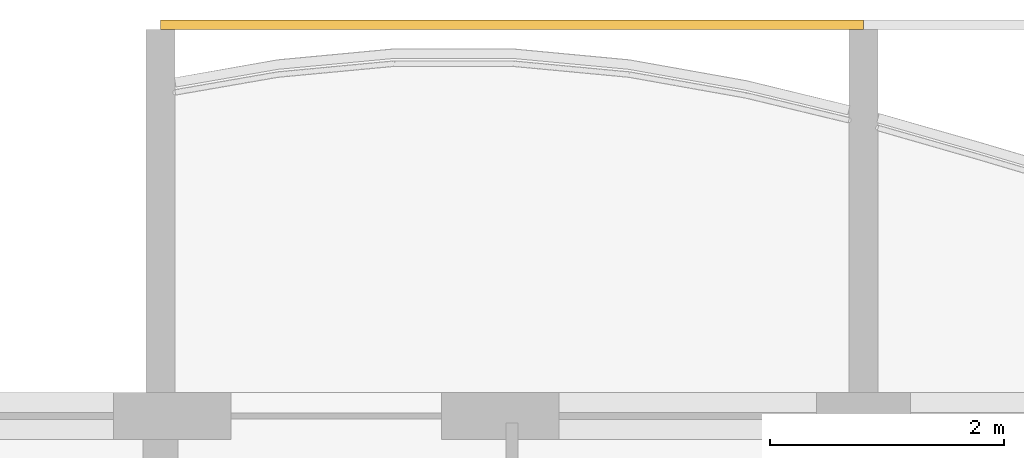
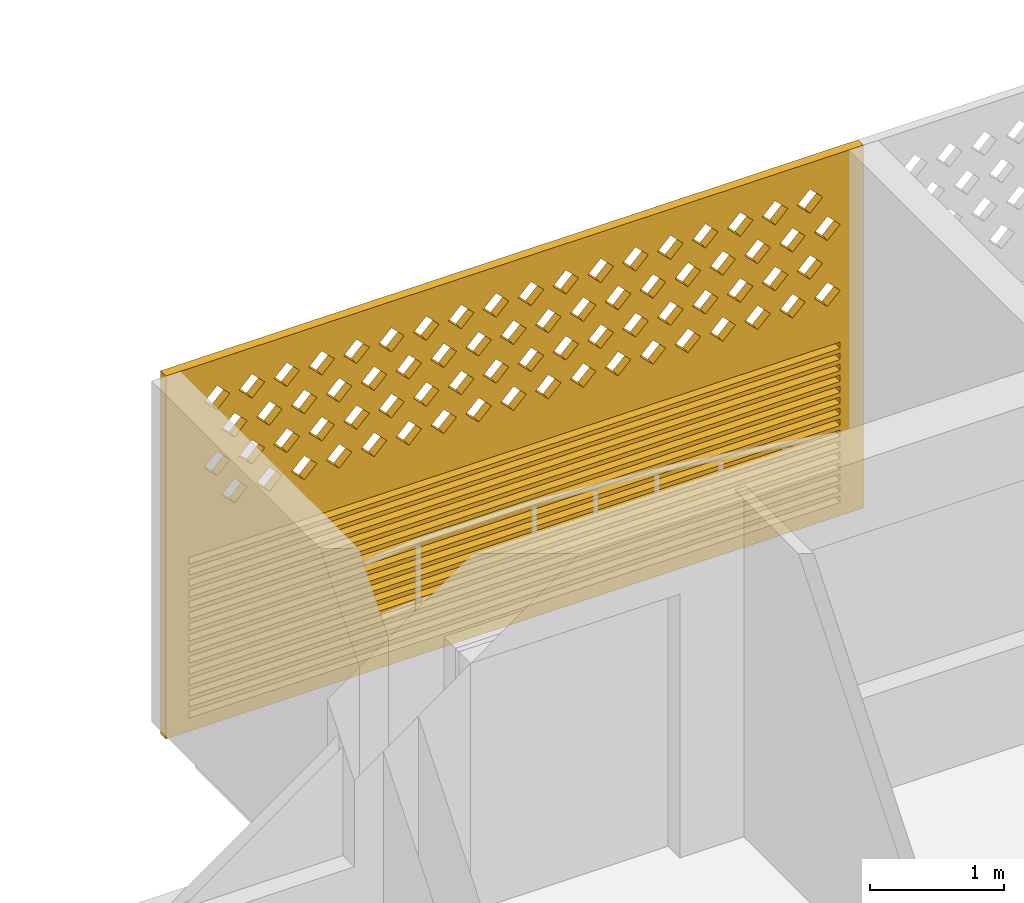
# One storey, part 21 of 33: 1 covering.
"""IFC4 building model written with IfcOpenShell, lengths in metres."""

import ifcopenshell
import ifcopenshell.guid

model = None  # the IFC model being written
_history = None  # IfcOwnerHistory: only IFC2X3 demands one
_inside = {}  # id of a spatial element -> (the spatial element, [elements in it])
_under = {}  # id of a project, library or spatial element -> (it, [spatial elements below it])
_declared = {}  # id of a project -> (the project, [libraries it declares])
_typed = {}  # id of a type object -> (the type object, [elements of that type])
_made_of = {}  # id of a material, layer set ... -> (it, [elements and type objects made of it])


def new_model(schema):
    """Start an empty IFC model of exactly this schema.

    Asked for "IFC4X3", IfcOpenShell would pick the latest addendum, in which some entities
    have other attributes; the version numbers below select the first issue.
    IFC2X3 requires an IfcOwnerHistory on every rooted entity: one is made here for all.
    """
    global model, _history
    if schema == "IFC4X3":
        model = ifcopenshell.file(schema_version=(4, 3, 0, 0))
    else:
        model = ifcopenshell.file(schema=schema)
    _inside.clear()
    _under.clear()
    _declared.clear()
    _typed.clear()
    _made_of.clear()
    _history = None
    if model.schema == "IFC2X3":
        org = make("IfcOrganization", Name="unknown")
        user = make(
            "IfcPersonAndOrganization",
            ThePerson=make("IfcPerson", FamilyName="unknown"),
            TheOrganization=org,
        )
        app = make(
            "IfcApplication",
            ApplicationDeveloper=org,
            Version="unknown",
            ApplicationFullName="unknown",
            ApplicationIdentifier="unknown",
        )
        _history = make(
            "IfcOwnerHistory",
            OwningUser=user,
            OwningApplication=app,
            ChangeAction="ADDED",
            CreationDate=0,
        )
    return model


def make(cls, **values):
    """One entity of the class cls with the attributes given. An attribute that is None is left unset."""
    return model.create_entity(
        cls, **{name: value for name, value in values.items() if value is not None}
    )


def rooted(cls, **values):
    """An entity with a GlobalId (a new one), such as an element, a storey or a relation."""
    return make(cls, GlobalId=ifcopenshell.guid.new(), OwnerHistory=_history, **values)


def si_unit(unit_type, name, prefix=None):
    """IfcSIUnit, for example si_unit("LENGTHUNIT", "METRE", prefix="MILLI")."""
    return make("IfcSIUnit", UnitType=unit_type, Prefix=prefix, Name=name)


def assignment(units):
    """IfcUnitAssignment: the units of a project."""
    return None if units is None else make("IfcUnitAssignment", Units=units)


def point(xyz):
    """IfcCartesianPoint."""
    return None if xyz is None else make("IfcCartesianPoint", Coordinates=xyz)


def direction(xyz):
    """IfcDirection."""
    return None if xyz is None else make("IfcDirection", DirectionRatios=xyz)


def frame(location, z_axis=None, x_axis=None):
    """IfcAxis2Placement3D, a coordinate frame: its origin and axes. An axis left out is left unset."""
    return make(
        "IfcAxis2Placement3D",
        Location=point(location),
        Axis=direction(z_axis),
        RefDirection=direction(x_axis),
    )


def origin():
    """The frame at (0, 0, 0) with its axes left unset."""
    return frame((0.0, 0.0, 0.0))


def place(relative_to, where):
    """IfcLocalPlacement: puts the frame where relative to a parent placement (None: the world)."""
    return make(
        "IfcLocalPlacement", PlacementRelTo=relative_to, RelativePlacement=where
    )


def context(
    kind, dimensions, precision=None, world=None, true_north=None, identifier=None
):
    """IfcGeometricRepresentationContext, for example the 3D "Model" context."""
    return make(
        "IfcGeometricRepresentationContext",
        ContextIdentifier=identifier,
        ContextType=kind,
        CoordinateSpaceDimension=dimensions,
        Precision=precision,
        WorldCoordinateSystem=world,
        TrueNorth=true_north,
    )


def subcontext(parent, identifier, kind, view, scale=None):
    """IfcGeometricRepresentationSubContext, for example "Body" below "Model"."""
    return make(
        "IfcGeometricRepresentationSubContext",
        ContextIdentifier=identifier,
        ContextType=kind,
        ParentContext=parent,
        TargetScale=scale,
        TargetView=view,
    )


def project(units=None, contexts=None):
    """IfcProject with its units and contexts."""
    return rooted(
        "IfcProject",
        Name="project",
        RepresentationContexts=contexts,
        UnitsInContext=assignment(units),
    )


def spatial(cls, under=None, at=None, **own):
    """A site, building, storey or space (cls), placed at a placement, below another one or the project."""
    s = rooted(cls, ObjectPlacement=at, **own)
    if under is not None:
        _under.setdefault(under.id(), (under, []))[1].append(s)
    return s


def polyline(points):
    """IfcPolyline through the points."""
    return make("IfcPolyline", Points=[point(p) for p in points])


def outline(outer, holes=None, kind="AREA"):
    """IfcArbitraryClosedProfileDef: a profile drawn as a closed curve; with holes, ...WithVoids."""
    if holes is None:
        return make("IfcArbitraryClosedProfileDef", ProfileType=kind, OuterCurve=outer)
    return make(
        "IfcArbitraryProfileDefWithVoids",
        ProfileType=kind,
        OuterCurve=outer,
        InnerCurves=holes,
    )


def extrude(swept, where, along, depth):
    """IfcExtrudedAreaSolid: the profile swept, set in the frame where, extruded along a direction by depth."""
    return make(
        "IfcExtrudedAreaSolid",
        SweptArea=swept,
        Position=where,
        ExtrudedDirection=direction(along),
        Depth=depth,
    )


def shape(context_of_items, identifier, shape_type, items):
    """IfcShapeRepresentation: the items that make up one representation, for example the "Body"."""
    return make(
        "IfcShapeRepresentation",
        ContextOfItems=context_of_items,
        RepresentationIdentifier=identifier,
        RepresentationType=shape_type,
        Items=items,
    )


def source(mapping_origin, context_of_items, identifier, shape_type, items):
    """IfcRepresentationMap: a shape defined once, which mapped items show again and again."""
    return make(
        "IfcRepresentationMap",
        MappingOrigin=mapping_origin,
        MappedRepresentation=shape(context_of_items, identifier, shape_type, items),
    )


def transform(
    local_origin,
    x_axis=None,
    y_axis=None,
    z_axis=None,
    scale=None,
    scale2=None,
    scale3=None,
    uniform=True,
):
    """IfcCartesianTransformationOperator3D, or its non-uniform kind. x_axis, y_axis, z_axis: its Axis1, 2, 3."""
    if uniform:
        return make(
            "IfcCartesianTransformationOperator3D",
            Axis1=direction(x_axis),
            Axis2=direction(y_axis),
            LocalOrigin=point(local_origin),
            Scale=scale,
            Axis3=direction(z_axis),
        )
    return make(
        "IfcCartesianTransformationOperator3DnonUniform",
        Axis1=direction(x_axis),
        Axis2=direction(y_axis),
        LocalOrigin=point(local_origin),
        Scale=scale,
        Axis3=direction(z_axis),
        Scale2=scale2,
        Scale3=scale3,
    )


def mapped(mapping_source, mapping_target):
    """IfcMappedItem: shows the shape of a source again, moved by a transform."""
    return make(
        "IfcMappedItem", MappingSource=mapping_source, MappingTarget=mapping_target
    )


def material(Name=None, Category=None):
    """IfcMaterial."""
    return make("IfcMaterial", Name=Name, Category=Category)


def material_profile(
    of_material, cross_section, Name=None, Category=None, Priority=None
):
    """IfcMaterialProfile: a cross section and its material."""
    return make(
        "IfcMaterialProfile",
        Name=Name,
        Material=of_material,
        Profile=cross_section,
        Priority=Priority,
        Category=Category,
    )


def profile_set(profiles, Name=None, composite=None):
    """IfcMaterialProfileSet."""
    return make(
        "IfcMaterialProfileSet",
        Name=Name,
        MaterialProfiles=profiles,
        CompositeProfile=composite,
    )


def made_of(thing, what):
    """Note that an element or type object is made of a material, layer set ...; save() writes the relation."""
    if what is not None:
        _made_of.setdefault(what.id(), (what, []))[1].append(thing)
    return thing


def type_object(cls, material=None, **own):
    """A type object (cls), such as IfcWallType, which elements share."""
    return made_of(rooted(cls, **own), material)


def element(
    cls,
    number,
    at=None,
    inside=None,
    cuts=None,
    type_object=None,
    material=None,
    context=None,
    identifier="Body",
    shape_type=None,
    held_by="IfcProductDefinitionShape",
    body=None,
    shapes=None,
    **own,
):
    """One element of the class cls, such as IfcWall. Its Tag is "e" and its number.

    at: its placement. inside: the storey or other place that contains it. cuts: it is an
    opening in that element (IfcRelVoidsElement). A single representation is given by context,
    identifier, shape_type and body (its items); several are given by shapes. held_by: the class
    of the entity that holds the representations. save() writes the other relations.
    """
    e = rooted(cls, Tag="e%d" % number, ObjectPlacement=at, **own)
    if body is not None:
        shapes = [shape(context, identifier, shape_type, body)]
    if shapes is not None:
        e.Representation = make(held_by, Representations=shapes)
    if inside is not None:
        _inside.setdefault(inside.id(), (inside, []))[1].append(e)
    if cuts is not None:
        rooted(
            "IfcRelVoidsElement", RelatingBuildingElement=cuts, RelatedOpeningElement=e
        )
    if type_object is not None:
        _typed.setdefault(type_object.id(), (type_object, []))[1].append(e)
    return made_of(e, material)


def aggregate(whole, parts):
    """IfcRelAggregates: a whole, such as a stair, and the parts it consists of."""
    return rooted("IfcRelAggregates", RelatingObject=whole, RelatedObjects=parts)


def save(model, path):
    """Write the relations noted so far, then the file.

    IfcRelAggregates (storeys below a building ...), IfcRelContainedInSpatialStructure (elements
    in a storey), IfcRelDefinesByType, IfcRelAssociatesMaterial and IfcRelDeclares: one each for
    every whole, place, type object, material and project.
    """
    for whole, parts in _under.values():
        aggregate(whole, parts)
    for where, things in _inside.values():
        rooted(
            "IfcRelContainedInSpatialStructure",
            RelatedElements=things,
            RelatingStructure=where,
        )
    for kind, things in _typed.values():
        rooted("IfcRelDefinesByType", RelatedObjects=things, RelatingType=kind)
    for what, things in _made_of.values():
        rooted("IfcRelAssociatesMaterial", RelatedObjects=things, RelatingMaterial=what)
    for by, libraries in _declared.values():
        rooted("IfcRelDeclares", RelatingContext=by, RelatedDefinitions=libraries)
    model.write(path)


model = new_model("IFC4")

# Units and contexts
model_context = context("Model", 3, precision=1e-05, world=origin(), true_north=direction((0.0, 1.0)))
body_context = subcontext(model_context, "Body", "Model", "MODEL_VIEW")
ifc_project = project(units=[si_unit("LENGTHUNIT", "METRE"), si_unit("AREAUNIT", "SQUARE_METRE"), si_unit("VOLUMEUNIT", "CUBIC_METRE"), si_unit("PLANEANGLEUNIT", "RADIAN"), si_unit("MASSUNIT", "GRAM", prefix="KILO")], contexts=[model_context])

# Site, building, storey
site_placement = place(None, origin())
site = spatial("IfcSite", under=ifc_project, at=site_placement, CompositionType="ELEMENT")
building_placement = place(site_placement, origin())
building = spatial("IfcBuilding", under=site, at=building_placement, Name="Poui Terraces", CompositionType="ELEMENT")
storey_placement = place(building_placement, frame((0.0, 0.0, 132.300048828125)))
storey = spatial("IfcBuildingStorey", under=building, at=storey_placement, Name="L36", CompositionType="ELEMENT", Elevation=132.300048828125)

# Covering
ifc_material = material(Name="Terracotta screen", Category="masonry")
ifc_material_profile = material_profile(ifc_material, outline(polyline([(-3.0, -1.64990234375), (3.0, -1.64990234375), (3.0, 1.64990234375), (-3.0, 1.64990234375), (-3.0, -1.64990234375)]), holes=[polyline([(-2.800048828125, 0.39990234375), (-2.68994140625, 0.2900390625), (-2.580078125, 0.39990234375), (-2.68994140625, 0.510009765625), (-2.800048828125, 0.39990234375)]), polyline([(-2.5, 0.39990234375), (-2.389892578125, 0.2900390625), (-2.280029296875, 0.39990234375), (-2.389892578125, 0.510009765625), (-2.5, 0.39990234375)]), polyline([(-2.199951171875, 0.39990234375), (-2.090087890625, 0.2900390625), (-1.97998046875, 0.39990234375), (-2.090087890625, 0.510009765625), (-2.199951171875, 0.39990234375)]), polyline([(-1.89990234375, 0.39990234375), (-1.7900390625, 0.2900390625), (-1.679931640625, 0.39990234375), (-1.7900390625, 0.510009765625), (-1.89990234375, 0.39990234375)]), polyline([(-1.60009765625, 0.39990234375), (-1.489990234375, 0.2900390625), (-1.3798828125, 0.39990234375), (-1.489990234375, 0.510009765625), (-1.60009765625, 0.39990234375)]), polyline([(-1.300048828125, 0.39990234375), (-1.18994140625, 0.2900390625), (-1.080078125, 0.39990234375), (-1.18994140625, 0.510009765625), (-1.300048828125, 0.39990234375)]), polyline([(-1.0, 0.39990234375), (-0.889892578125, 0.2900390625), (-0.780029296875, 0.39990234375), (-0.889892578125, 0.510009765625), (-1.0, 0.39990234375)]), polyline([(-0.699951171875, 0.39990234375), (-0.590087890625, 0.2900390625), (-0.47998046875, 0.39990234375), (-0.590087890625, 0.510009765625), (-0.699951171875, 0.39990234375)]), polyline([(-0.39990234375, 0.39990234375), (-0.2900390625, 0.2900390625), (-0.179931640625, 0.39990234375), (-0.2900390625, 0.510009765625), (-0.39990234375, 0.39990234375)]), polyline([(-0.10009765625, 0.39990234375), (0.010009765625, 0.2900390625), (0.1201171875, 0.39990234375), (0.010009765625, 0.510009765625), (-0.10009765625, 0.39990234375)]), polyline([(0.199951171875, 0.39990234375), (0.31005859375, 0.2900390625), (0.419921875, 0.39990234375), (0.31005859375, 0.510009765625), (0.199951171875, 0.39990234375)]), polyline([(0.5, 0.39990234375), (0.610107421875, 0.2900390625), (0.719970703125, 0.39990234375), (0.610107421875, 0.510009765625), (0.5, 0.39990234375)]), polyline([(0.800048828125, 0.39990234375), (0.909912109375, 0.2900390625), (1.02001953125, 0.39990234375), (0.909912109375, 0.510009765625), (0.800048828125, 0.39990234375)]), polyline([(1.10009765625, 0.39990234375), (1.2099609375, 0.2900390625), (1.320068359375, 0.39990234375), (1.2099609375, 0.510009765625), (1.10009765625, 0.39990234375)]), polyline([(1.39990234375, 0.39990234375), (1.510009765625, 0.2900390625), (1.6201171875, 0.39990234375), (1.510009765625, 0.510009765625), (1.39990234375, 0.39990234375)]), polyline([(1.699951171875, 0.39990234375), (1.81005859375, 0.2900390625), (1.919921875, 0.39990234375), (1.81005859375, 0.510009765625), (1.699951171875, 0.39990234375)]), polyline([(2.0, 0.39990234375), (2.110107421875, 0.2900390625), (2.219970703125, 0.39990234375), (2.110107421875, 0.510009765625), (2.0, 0.39990234375)]), polyline([(2.300048828125, 0.39990234375), (2.409912109375, 0.2900390625), (2.52001953125, 0.39990234375), (2.409912109375, 0.510009765625), (2.300048828125, 0.39990234375)]), polyline([(-2.64990234375, 0.699951171875), (-2.5400390625, 0.590087890625), (-2.429931640625, 0.699951171875), (-2.5400390625, 0.81005859375), (-2.64990234375, 0.699951171875)]), polyline([(-2.35009765625, 0.699951171875), (-2.239990234375, 0.590087890625), (-2.1298828125, 0.699951171875), (-2.239990234375, 0.81005859375), (-2.35009765625, 0.699951171875)]), polyline([(-2.050048828125, 0.699951171875), (-1.93994140625, 0.590087890625), (-1.830078125, 0.699951171875), (-1.93994140625, 0.81005859375), (-2.050048828125, 0.699951171875)]), polyline([(-1.75, 0.699951171875), (-1.639892578125, 0.590087890625), (-1.530029296875, 0.699951171875), (-1.639892578125, 0.81005859375), (-1.75, 0.699951171875)]), polyline([(-1.449951171875, 0.699951171875), (-1.340087890625, 0.590087890625), (-1.22998046875, 0.699951171875), (-1.340087890625, 0.81005859375), (-1.449951171875, 0.699951171875)]), polyline([(-1.14990234375, 0.699951171875), (-1.0400390625, 0.590087890625), (-0.929931640625, 0.699951171875), (-1.0400390625, 0.81005859375), (-1.14990234375, 0.699951171875)]), polyline([(-0.85009765625, 0.699951171875), (-0.739990234375, 0.590087890625), (-0.6298828125, 0.699951171875), (-0.739990234375, 0.81005859375), (-0.85009765625, 0.699951171875)]), polyline([(-0.550048828125, 0.699951171875), (-0.43994140625, 0.590087890625), (-0.330078125, 0.699951171875), (-0.43994140625, 0.81005859375), (-0.550048828125, 0.699951171875)]), polyline([(-0.25, 0.699951171875), (-0.139892578125, 0.590087890625), (-0.030029296875, 0.699951171875), (-0.139892578125, 0.81005859375), (-0.25, 0.699951171875)]), polyline([(0.050048828125, 0.699951171875), (0.159912109375, 0.590087890625), (0.27001953125, 0.699951171875), (0.159912109375, 0.81005859375), (0.050048828125, 0.699951171875)]), polyline([(0.35009765625, 0.699951171875), (0.4599609375, 0.590087890625), (0.570068359375, 0.699951171875), (0.4599609375, 0.81005859375), (0.35009765625, 0.699951171875)]), polyline([(0.64990234375, 0.699951171875), (0.760009765625, 0.590087890625), (0.8701171875, 0.699951171875), (0.760009765625, 0.81005859375), (0.64990234375, 0.699951171875)]), polyline([(0.949951171875, 0.699951171875), (1.06005859375, 0.590087890625), (1.169921875, 0.699951171875), (1.06005859375, 0.81005859375), (0.949951171875, 0.699951171875)]), polyline([(1.25, 0.699951171875), (1.360107421875, 0.590087890625), (1.469970703125, 0.699951171875), (1.360107421875, 0.81005859375), (1.25, 0.699951171875)]), polyline([(1.550048828125, 0.699951171875), (1.659912109375, 0.590087890625), (1.77001953125, 0.699951171875), (1.659912109375, 0.81005859375), (1.550048828125, 0.699951171875)]), polyline([(1.85009765625, 0.699951171875), (1.9599609375, 0.590087890625), (2.070068359375, 0.699951171875), (1.9599609375, 0.81005859375), (1.85009765625, 0.699951171875)]), polyline([(2.14990234375, 0.699951171875), (2.260009765625, 0.590087890625), (2.3701171875, 0.699951171875), (2.260009765625, 0.81005859375), (2.14990234375, 0.699951171875)]), polyline([(2.449951171875, 0.699951171875), (2.56005859375, 0.590087890625), (2.669921875, 0.699951171875), (2.56005859375, 0.81005859375), (2.449951171875, 0.699951171875)]), polyline([(-2.800048828125, 1.0), (-2.68994140625, 0.889892578125), (-2.580078125, 1.0), (-2.68994140625, 1.110107421875), (-2.800048828125, 1.0)]), polyline([(-2.5, 1.0), (-2.389892578125, 0.889892578125), (-2.280029296875, 1.0), (-2.389892578125, 1.110107421875), (-2.5, 1.0)]), polyline([(-2.199951171875, 1.0), (-2.090087890625, 0.889892578125), (-1.97998046875, 1.0), (-2.090087890625, 1.110107421875), (-2.199951171875, 1.0)]), polyline([(-1.89990234375, 1.0), (-1.7900390625, 0.889892578125), (-1.679931640625, 1.0), (-1.7900390625, 1.110107421875), (-1.89990234375, 1.0)]), polyline([(-1.60009765625, 1.0), (-1.489990234375, 0.889892578125), (-1.3798828125, 1.0), (-1.489990234375, 1.110107421875), (-1.60009765625, 1.0)]), polyline([(-1.300048828125, 1.0), (-1.18994140625, 0.889892578125), (-1.080078125, 1.0), (-1.18994140625, 1.110107421875), (-1.300048828125, 1.0)]), polyline([(-1.0, 1.0), (-0.889892578125, 0.889892578125), (-0.780029296875, 1.0), (-0.889892578125, 1.110107421875), (-1.0, 1.0)]), polyline([(-0.699951171875, 1.0), (-0.590087890625, 0.889892578125), (-0.47998046875, 1.0), (-0.590087890625, 1.110107421875), (-0.699951171875, 1.0)]), polyline([(-0.39990234375, 1.0), (-0.2900390625, 0.889892578125), (-0.179931640625, 1.0), (-0.2900390625, 1.110107421875), (-0.39990234375, 1.0)]), polyline([(-0.10009765625, 1.0), (0.010009765625, 0.889892578125), (0.1201171875, 1.0), (0.010009765625, 1.110107421875), (-0.10009765625, 1.0)]), polyline([(0.199951171875, 1.0), (0.31005859375, 0.889892578125), (0.419921875, 1.0), (0.31005859375, 1.110107421875), (0.199951171875, 1.0)]), polyline([(0.5, 1.0), (0.610107421875, 0.889892578125), (0.719970703125, 1.0), (0.610107421875, 1.110107421875), (0.5, 1.0)]), polyline([(0.800048828125, 1.0), (0.909912109375, 0.889892578125), (1.02001953125, 1.0), (0.909912109375, 1.110107421875), (0.800048828125, 1.0)]), polyline([(1.10009765625, 1.0), (1.2099609375, 0.889892578125), (1.320068359375, 1.0), (1.2099609375, 1.110107421875), (1.10009765625, 1.0)]), polyline([(1.39990234375, 1.0), (1.510009765625, 0.889892578125), (1.6201171875, 1.0), (1.510009765625, 1.110107421875), (1.39990234375, 1.0)]), polyline([(1.699951171875, 1.0), (1.81005859375, 0.889892578125), (1.919921875, 1.0), (1.81005859375, 1.110107421875), (1.699951171875, 1.0)]), polyline([(2.0, 1.0), (2.110107421875, 0.889892578125), (2.219970703125, 1.0), (2.110107421875, 1.110107421875), (2.0, 1.0)]), polyline([(2.300048828125, 1.0), (2.409912109375, 0.889892578125), (2.52001953125, 1.0), (2.409912109375, 1.110107421875), (2.300048828125, 1.0)]), polyline([(-2.64990234375, 1.300048828125), (-2.5400390625, 1.18994140625), (-2.429931640625, 1.300048828125), (-2.5400390625, 1.409912109375), (-2.64990234375, 1.300048828125)]), polyline([(-2.35009765625, 1.300048828125), (-2.239990234375, 1.18994140625), (-2.1298828125, 1.300048828125), (-2.239990234375, 1.409912109375), (-2.35009765625, 1.300048828125)]), polyline([(-2.050048828125, 1.300048828125), (-1.93994140625, 1.18994140625), (-1.830078125, 1.300048828125), (-1.93994140625, 1.409912109375), (-2.050048828125, 1.300048828125)]), polyline([(-1.75, 1.300048828125), (-1.639892578125, 1.18994140625), (-1.530029296875, 1.300048828125), (-1.639892578125, 1.409912109375), (-1.75, 1.300048828125)]), polyline([(-1.449951171875, 1.300048828125), (-1.340087890625, 1.18994140625), (-1.22998046875, 1.300048828125), (-1.340087890625, 1.409912109375), (-1.449951171875, 1.300048828125)]), polyline([(-1.14990234375, 1.300048828125), (-1.0400390625, 1.18994140625), (-0.929931640625, 1.300048828125), (-1.0400390625, 1.409912109375), (-1.14990234375, 1.300048828125)]), polyline([(-0.85009765625, 1.300048828125), (-0.739990234375, 1.18994140625), (-0.6298828125, 1.300048828125), (-0.739990234375, 1.409912109375), (-0.85009765625, 1.300048828125)]), polyline([(-0.550048828125, 1.300048828125), (-0.43994140625, 1.18994140625), (-0.330078125, 1.300048828125), (-0.43994140625, 1.409912109375), (-0.550048828125, 1.300048828125)]), polyline([(-0.25, 1.300048828125), (-0.139892578125, 1.18994140625), (-0.030029296875, 1.300048828125), (-0.139892578125, 1.409912109375), (-0.25, 1.300048828125)]), polyline([(0.050048828125, 1.300048828125), (0.159912109375, 1.18994140625), (0.27001953125, 1.300048828125), (0.159912109375, 1.409912109375), (0.050048828125, 1.300048828125)]), polyline([(0.35009765625, 1.300048828125), (0.4599609375, 1.18994140625), (0.570068359375, 1.300048828125), (0.4599609375, 1.409912109375), (0.35009765625, 1.300048828125)]), polyline([(0.64990234375, 1.300048828125), (0.760009765625, 1.18994140625), (0.8701171875, 1.300048828125), (0.760009765625, 1.409912109375), (0.64990234375, 1.300048828125)]), polyline([(0.949951171875, 1.300048828125), (1.06005859375, 1.18994140625), (1.169921875, 1.300048828125), (1.06005859375, 1.409912109375), (0.949951171875, 1.300048828125)]), polyline([(1.25, 1.300048828125), (1.360107421875, 1.18994140625), (1.469970703125, 1.300048828125), (1.360107421875, 1.409912109375), (1.25, 1.300048828125)]), polyline([(1.550048828125, 1.300048828125), (1.659912109375, 1.18994140625), (1.77001953125, 1.300048828125), (1.659912109375, 1.409912109375), (1.550048828125, 1.300048828125)]), polyline([(1.85009765625, 1.300048828125), (1.9599609375, 1.18994140625), (2.070068359375, 1.300048828125), (1.9599609375, 1.409912109375), (1.85009765625, 1.300048828125)]), polyline([(2.14990234375, 1.300048828125), (2.260009765625, 1.18994140625), (2.3701171875, 1.300048828125), (2.260009765625, 1.409912109375), (2.14990234375, 1.300048828125)]), polyline([(2.449951171875, 1.300048828125), (2.56005859375, 1.18994140625), (2.669921875, 1.300048828125), (2.56005859375, 1.409912109375), (2.449951171875, 1.300048828125)]), polyline([(-2.800048828125, -1.530029296875), (2.800048828125, -1.530029296875), (2.800048828125, -1.469970703125), (-2.800048828125, -1.469970703125), (-2.800048828125, -1.530029296875)]), polyline([(-2.800048828125, -1.429931640625), (2.800048828125, -1.429931640625), (2.800048828125, -1.3701171875), (-2.800048828125, -1.3701171875), (-2.800048828125, -1.429931640625)]), polyline([(-2.800048828125, -1.330078125), (2.800048828125, -1.330078125), (2.800048828125, -1.27001953125), (-2.800048828125, -1.27001953125), (-2.800048828125, -1.330078125)]), polyline([(-2.800048828125, -1.22998046875), (2.800048828125, -1.22998046875), (2.800048828125, -1.169921875), (-2.800048828125, -1.169921875), (-2.800048828125, -1.22998046875)]), polyline([(-2.800048828125, -1.1298828125), (2.800048828125, -1.1298828125), (2.800048828125, -1.070068359375), (-2.800048828125, -1.070068359375), (-2.800048828125, -1.1298828125)]), polyline([(-2.800048828125, -1.030029296875), (2.800048828125, -1.030029296875), (2.800048828125, -0.969970703125), (-2.800048828125, -0.969970703125), (-2.800048828125, -1.030029296875)]), polyline([(-2.800048828125, -0.929931640625), (2.800048828125, -0.929931640625), (2.800048828125, -0.8701171875), (-2.800048828125, -0.8701171875), (-2.800048828125, -0.929931640625)]), polyline([(-2.800048828125, -0.830078125), (2.800048828125, -0.830078125), (2.800048828125, -0.77001953125), (-2.800048828125, -0.77001953125), (-2.800048828125, -0.830078125)]), polyline([(-2.800048828125, -0.72998046875), (2.800048828125, -0.72998046875), (2.800048828125, -0.669921875), (-2.800048828125, -0.669921875), (-2.800048828125, -0.72998046875)]), polyline([(-2.800048828125, -0.6298828125), (2.800048828125, -0.6298828125), (2.800048828125, -0.570068359375), (-2.800048828125, -0.570068359375), (-2.800048828125, -0.6298828125)]), polyline([(-2.800048828125, -0.530029296875), (2.800048828125, -0.530029296875), (2.800048828125, -0.469970703125), (-2.800048828125, -0.469970703125), (-2.800048828125, -0.530029296875)]), polyline([(-2.800048828125, -0.429931640625), (2.800048828125, -0.429931640625), (2.800048828125, -0.3701171875), (-2.800048828125, -0.3701171875), (-2.800048828125, -0.429931640625)]), polyline([(-2.800048828125, -0.330078125), (2.800048828125, -0.330078125), (2.800048828125, -0.27001953125), (-2.800048828125, -0.27001953125), (-2.800048828125, -0.330078125)]), polyline([(-2.800048828125, -0.22998046875), (2.800048828125, -0.22998046875), (2.800048828125, -0.169921875), (-2.800048828125, -0.169921875), (-2.800048828125, -0.22998046875)]), polyline([(-2.800048828125, -0.1298828125), (2.800048828125, -0.1298828125), (2.800048828125, -0.070068359375), (-2.800048828125, -0.070068359375), (-2.800048828125, -0.1298828125)])]), Name="TERRACOTTA SCREEN AND JALOUSIE LOUVRE 6000X3300")
ifc_profile_set = profile_set([ifc_material_profile], Name="Terracotta screen")
covering_type = type_object("IfcCoveringType", Name="TERRACOTTA SCREEN AND JALOUSIE LOUVRE 6000X3300", PredefinedType="CLADDING", material=ifc_profile_set)
shared_shape = source(origin(), body_context, "Body", "SweptSolid", [
    extrude(outline(polyline([(-3.0, -1.64990234375), (3.0, -1.64990234375), (3.0, 1.64990234375), (-3.0, 1.64990234375), (-3.0, -1.64990234375)]), holes=[polyline([(-2.800048828125, 0.39990234375), (-2.68994140625, 0.2900390625), (-2.580078125, 0.39990234375), (-2.68994140625, 0.510009765625), (-2.800048828125, 0.39990234375)]), polyline([(-2.5, 0.39990234375), (-2.389892578125, 0.2900390625), (-2.280029296875, 0.39990234375), (-2.389892578125, 0.510009765625), (-2.5, 0.39990234375)]), polyline([(-2.199951171875, 0.39990234375), (-2.090087890625, 0.2900390625), (-1.97998046875, 0.39990234375), (-2.090087890625, 0.510009765625), (-2.199951171875, 0.39990234375)]), polyline([(-1.89990234375, 0.39990234375), (-1.7900390625, 0.2900390625), (-1.679931640625, 0.39990234375), (-1.7900390625, 0.510009765625), (-1.89990234375, 0.39990234375)]), polyline([(-1.60009765625, 0.39990234375), (-1.489990234375, 0.2900390625), (-1.3798828125, 0.39990234375), (-1.489990234375, 0.510009765625), (-1.60009765625, 0.39990234375)]), polyline([(-1.300048828125, 0.39990234375), (-1.18994140625, 0.2900390625), (-1.080078125, 0.39990234375), (-1.18994140625, 0.510009765625), (-1.300048828125, 0.39990234375)]), polyline([(-1.0, 0.39990234375), (-0.889892578125, 0.2900390625), (-0.780029296875, 0.39990234375), (-0.889892578125, 0.510009765625), (-1.0, 0.39990234375)]), polyline([(-0.699951171875, 0.39990234375), (-0.590087890625, 0.2900390625), (-0.47998046875, 0.39990234375), (-0.590087890625, 0.510009765625), (-0.699951171875, 0.39990234375)]), polyline([(-0.39990234375, 0.39990234375), (-0.2900390625, 0.2900390625), (-0.179931640625, 0.39990234375), (-0.2900390625, 0.510009765625), (-0.39990234375, 0.39990234375)]), polyline([(-0.10009765625, 0.39990234375), (0.010009765625, 0.2900390625), (0.1201171875, 0.39990234375), (0.010009765625, 0.510009765625), (-0.10009765625, 0.39990234375)]), polyline([(0.199951171875, 0.39990234375), (0.31005859375, 0.2900390625), (0.419921875, 0.39990234375), (0.31005859375, 0.510009765625), (0.199951171875, 0.39990234375)]), polyline([(0.5, 0.39990234375), (0.610107421875, 0.2900390625), (0.719970703125, 0.39990234375), (0.610107421875, 0.510009765625), (0.5, 0.39990234375)]), polyline([(0.800048828125, 0.39990234375), (0.909912109375, 0.2900390625), (1.02001953125, 0.39990234375), (0.909912109375, 0.510009765625), (0.800048828125, 0.39990234375)]), polyline([(1.10009765625, 0.39990234375), (1.2099609375, 0.2900390625), (1.320068359375, 0.39990234375), (1.2099609375, 0.510009765625), (1.10009765625, 0.39990234375)]), polyline([(1.39990234375, 0.39990234375), (1.510009765625, 0.2900390625), (1.6201171875, 0.39990234375), (1.510009765625, 0.510009765625), (1.39990234375, 0.39990234375)]), polyline([(1.699951171875, 0.39990234375), (1.81005859375, 0.2900390625), (1.919921875, 0.39990234375), (1.81005859375, 0.510009765625), (1.699951171875, 0.39990234375)]), polyline([(2.0, 0.39990234375), (2.110107421875, 0.2900390625), (2.219970703125, 0.39990234375), (2.110107421875, 0.510009765625), (2.0, 0.39990234375)]), polyline([(2.300048828125, 0.39990234375), (2.409912109375, 0.2900390625), (2.52001953125, 0.39990234375), (2.409912109375, 0.510009765625), (2.300048828125, 0.39990234375)]), polyline([(-2.64990234375, 0.699951171875), (-2.5400390625, 0.590087890625), (-2.429931640625, 0.699951171875), (-2.5400390625, 0.81005859375), (-2.64990234375, 0.699951171875)]), polyline([(-2.35009765625, 0.699951171875), (-2.239990234375, 0.590087890625), (-2.1298828125, 0.699951171875), (-2.239990234375, 0.81005859375), (-2.35009765625, 0.699951171875)]), polyline([(-2.050048828125, 0.699951171875), (-1.93994140625, 0.590087890625), (-1.830078125, 0.699951171875), (-1.93994140625, 0.81005859375), (-2.050048828125, 0.699951171875)]), polyline([(-1.75, 0.699951171875), (-1.639892578125, 0.590087890625), (-1.530029296875, 0.699951171875), (-1.639892578125, 0.81005859375), (-1.75, 0.699951171875)]), polyline([(-1.449951171875, 0.699951171875), (-1.340087890625, 0.590087890625), (-1.22998046875, 0.699951171875), (-1.340087890625, 0.81005859375), (-1.449951171875, 0.699951171875)]), polyline([(-1.14990234375, 0.699951171875), (-1.0400390625, 0.590087890625), (-0.929931640625, 0.699951171875), (-1.0400390625, 0.81005859375), (-1.14990234375, 0.699951171875)]), polyline([(-0.85009765625, 0.699951171875), (-0.739990234375, 0.590087890625), (-0.6298828125, 0.699951171875), (-0.739990234375, 0.81005859375), (-0.85009765625, 0.699951171875)]), polyline([(-0.550048828125, 0.699951171875), (-0.43994140625, 0.590087890625), (-0.330078125, 0.699951171875), (-0.43994140625, 0.81005859375), (-0.550048828125, 0.699951171875)]), polyline([(-0.25, 0.699951171875), (-0.139892578125, 0.590087890625), (-0.030029296875, 0.699951171875), (-0.139892578125, 0.81005859375), (-0.25, 0.699951171875)]), polyline([(0.050048828125, 0.699951171875), (0.159912109375, 0.590087890625), (0.27001953125, 0.699951171875), (0.159912109375, 0.81005859375), (0.050048828125, 0.699951171875)]), polyline([(0.35009765625, 0.699951171875), (0.4599609375, 0.590087890625), (0.570068359375, 0.699951171875), (0.4599609375, 0.81005859375), (0.35009765625, 0.699951171875)]), polyline([(0.64990234375, 0.699951171875), (0.760009765625, 0.590087890625), (0.8701171875, 0.699951171875), (0.760009765625, 0.81005859375), (0.64990234375, 0.699951171875)]), polyline([(0.949951171875, 0.699951171875), (1.06005859375, 0.590087890625), (1.169921875, 0.699951171875), (1.06005859375, 0.81005859375), (0.949951171875, 0.699951171875)]), polyline([(1.25, 0.699951171875), (1.360107421875, 0.590087890625), (1.469970703125, 0.699951171875), (1.360107421875, 0.81005859375), (1.25, 0.699951171875)]), polyline([(1.550048828125, 0.699951171875), (1.659912109375, 0.590087890625), (1.77001953125, 0.699951171875), (1.659912109375, 0.81005859375), (1.550048828125, 0.699951171875)]), polyline([(1.85009765625, 0.699951171875), (1.9599609375, 0.590087890625), (2.070068359375, 0.699951171875), (1.9599609375, 0.81005859375), (1.85009765625, 0.699951171875)]), polyline([(2.14990234375, 0.699951171875), (2.260009765625, 0.590087890625), (2.3701171875, 0.699951171875), (2.260009765625, 0.81005859375), (2.14990234375, 0.699951171875)]), polyline([(2.449951171875, 0.699951171875), (2.56005859375, 0.590087890625), (2.669921875, 0.699951171875), (2.56005859375, 0.81005859375), (2.449951171875, 0.699951171875)]), polyline([(-2.800048828125, 1.0), (-2.68994140625, 0.889892578125), (-2.580078125, 1.0), (-2.68994140625, 1.110107421875), (-2.800048828125, 1.0)]), polyline([(-2.5, 1.0), (-2.389892578125, 0.889892578125), (-2.280029296875, 1.0), (-2.389892578125, 1.110107421875), (-2.5, 1.0)]), polyline([(-2.199951171875, 1.0), (-2.090087890625, 0.889892578125), (-1.97998046875, 1.0), (-2.090087890625, 1.110107421875), (-2.199951171875, 1.0)]), polyline([(-1.89990234375, 1.0), (-1.7900390625, 0.889892578125), (-1.679931640625, 1.0), (-1.7900390625, 1.110107421875), (-1.89990234375, 1.0)]), polyline([(-1.60009765625, 1.0), (-1.489990234375, 0.889892578125), (-1.3798828125, 1.0), (-1.489990234375, 1.110107421875), (-1.60009765625, 1.0)]), polyline([(-1.300048828125, 1.0), (-1.18994140625, 0.889892578125), (-1.080078125, 1.0), (-1.18994140625, 1.110107421875), (-1.300048828125, 1.0)]), polyline([(-1.0, 1.0), (-0.889892578125, 0.889892578125), (-0.780029296875, 1.0), (-0.889892578125, 1.110107421875), (-1.0, 1.0)]), polyline([(-0.699951171875, 1.0), (-0.590087890625, 0.889892578125), (-0.47998046875, 1.0), (-0.590087890625, 1.110107421875), (-0.699951171875, 1.0)]), polyline([(-0.39990234375, 1.0), (-0.2900390625, 0.889892578125), (-0.179931640625, 1.0), (-0.2900390625, 1.110107421875), (-0.39990234375, 1.0)]), polyline([(-0.10009765625, 1.0), (0.010009765625, 0.889892578125), (0.1201171875, 1.0), (0.010009765625, 1.110107421875), (-0.10009765625, 1.0)]), polyline([(0.199951171875, 1.0), (0.31005859375, 0.889892578125), (0.419921875, 1.0), (0.31005859375, 1.110107421875), (0.199951171875, 1.0)]), polyline([(0.5, 1.0), (0.610107421875, 0.889892578125), (0.719970703125, 1.0), (0.610107421875, 1.110107421875), (0.5, 1.0)]), polyline([(0.800048828125, 1.0), (0.909912109375, 0.889892578125), (1.02001953125, 1.0), (0.909912109375, 1.110107421875), (0.800048828125, 1.0)]), polyline([(1.10009765625, 1.0), (1.2099609375, 0.889892578125), (1.320068359375, 1.0), (1.2099609375, 1.110107421875), (1.10009765625, 1.0)]), polyline([(1.39990234375, 1.0), (1.510009765625, 0.889892578125), (1.6201171875, 1.0), (1.510009765625, 1.110107421875), (1.39990234375, 1.0)]), polyline([(1.699951171875, 1.0), (1.81005859375, 0.889892578125), (1.919921875, 1.0), (1.81005859375, 1.110107421875), (1.699951171875, 1.0)]), polyline([(2.0, 1.0), (2.110107421875, 0.889892578125), (2.219970703125, 1.0), (2.110107421875, 1.110107421875), (2.0, 1.0)]), polyline([(2.300048828125, 1.0), (2.409912109375, 0.889892578125), (2.52001953125, 1.0), (2.409912109375, 1.110107421875), (2.300048828125, 1.0)]), polyline([(-2.64990234375, 1.300048828125), (-2.5400390625, 1.18994140625), (-2.429931640625, 1.300048828125), (-2.5400390625, 1.409912109375), (-2.64990234375, 1.300048828125)]), polyline([(-2.35009765625, 1.300048828125), (-2.239990234375, 1.18994140625), (-2.1298828125, 1.300048828125), (-2.239990234375, 1.409912109375), (-2.35009765625, 1.300048828125)]), polyline([(-2.050048828125, 1.300048828125), (-1.93994140625, 1.18994140625), (-1.830078125, 1.300048828125), (-1.93994140625, 1.409912109375), (-2.050048828125, 1.300048828125)]), polyline([(-1.75, 1.300048828125), (-1.639892578125, 1.18994140625), (-1.530029296875, 1.300048828125), (-1.639892578125, 1.409912109375), (-1.75, 1.300048828125)]), polyline([(-1.449951171875, 1.300048828125), (-1.340087890625, 1.18994140625), (-1.22998046875, 1.300048828125), (-1.340087890625, 1.409912109375), (-1.449951171875, 1.300048828125)]), polyline([(-1.14990234375, 1.300048828125), (-1.0400390625, 1.18994140625), (-0.929931640625, 1.300048828125), (-1.0400390625, 1.409912109375), (-1.14990234375, 1.300048828125)]), polyline([(-0.85009765625, 1.300048828125), (-0.739990234375, 1.18994140625), (-0.6298828125, 1.300048828125), (-0.739990234375, 1.409912109375), (-0.85009765625, 1.300048828125)]), polyline([(-0.550048828125, 1.300048828125), (-0.43994140625, 1.18994140625), (-0.330078125, 1.300048828125), (-0.43994140625, 1.409912109375), (-0.550048828125, 1.300048828125)]), polyline([(-0.25, 1.300048828125), (-0.139892578125, 1.18994140625), (-0.030029296875, 1.300048828125), (-0.139892578125, 1.409912109375), (-0.25, 1.300048828125)]), polyline([(0.050048828125, 1.300048828125), (0.159912109375, 1.18994140625), (0.27001953125, 1.300048828125), (0.159912109375, 1.409912109375), (0.050048828125, 1.300048828125)]), polyline([(0.35009765625, 1.300048828125), (0.4599609375, 1.18994140625), (0.570068359375, 1.300048828125), (0.4599609375, 1.409912109375), (0.35009765625, 1.300048828125)]), polyline([(0.64990234375, 1.300048828125), (0.760009765625, 1.18994140625), (0.8701171875, 1.300048828125), (0.760009765625, 1.409912109375), (0.64990234375, 1.300048828125)]), polyline([(0.949951171875, 1.300048828125), (1.06005859375, 1.18994140625), (1.169921875, 1.300048828125), (1.06005859375, 1.409912109375), (0.949951171875, 1.300048828125)]), polyline([(1.25, 1.300048828125), (1.360107421875, 1.18994140625), (1.469970703125, 1.300048828125), (1.360107421875, 1.409912109375), (1.25, 1.300048828125)]), polyline([(1.550048828125, 1.300048828125), (1.659912109375, 1.18994140625), (1.77001953125, 1.300048828125), (1.659912109375, 1.409912109375), (1.550048828125, 1.300048828125)]), polyline([(1.85009765625, 1.300048828125), (1.9599609375, 1.18994140625), (2.070068359375, 1.300048828125), (1.9599609375, 1.409912109375), (1.85009765625, 1.300048828125)]), polyline([(2.14990234375, 1.300048828125), (2.260009765625, 1.18994140625), (2.3701171875, 1.300048828125), (2.260009765625, 1.409912109375), (2.14990234375, 1.300048828125)]), polyline([(2.449951171875, 1.300048828125), (2.56005859375, 1.18994140625), (2.669921875, 1.300048828125), (2.56005859375, 1.409912109375), (2.449951171875, 1.300048828125)]), polyline([(-2.800048828125, -1.530029296875), (2.800048828125, -1.530029296875), (2.800048828125, -1.469970703125), (-2.800048828125, -1.469970703125), (-2.800048828125, -1.530029296875)]), polyline([(-2.800048828125, -1.429931640625), (2.800048828125, -1.429931640625), (2.800048828125, -1.3701171875), (-2.800048828125, -1.3701171875), (-2.800048828125, -1.429931640625)]), polyline([(-2.800048828125, -1.330078125), (2.800048828125, -1.330078125), (2.800048828125, -1.27001953125), (-2.800048828125, -1.27001953125), (-2.800048828125, -1.330078125)]), polyline([(-2.800048828125, -1.22998046875), (2.800048828125, -1.22998046875), (2.800048828125, -1.169921875), (-2.800048828125, -1.169921875), (-2.800048828125, -1.22998046875)]), polyline([(-2.800048828125, -1.1298828125), (2.800048828125, -1.1298828125), (2.800048828125, -1.070068359375), (-2.800048828125, -1.070068359375), (-2.800048828125, -1.1298828125)]), polyline([(-2.800048828125, -1.030029296875), (2.800048828125, -1.030029296875), (2.800048828125, -0.969970703125), (-2.800048828125, -0.969970703125), (-2.800048828125, -1.030029296875)]), polyline([(-2.800048828125, -0.929931640625), (2.800048828125, -0.929931640625), (2.800048828125, -0.8701171875), (-2.800048828125, -0.8701171875), (-2.800048828125, -0.929931640625)]), polyline([(-2.800048828125, -0.830078125), (2.800048828125, -0.830078125), (2.800048828125, -0.77001953125), (-2.800048828125, -0.77001953125), (-2.800048828125, -0.830078125)]), polyline([(-2.800048828125, -0.72998046875), (2.800048828125, -0.72998046875), (2.800048828125, -0.669921875), (-2.800048828125, -0.669921875), (-2.800048828125, -0.72998046875)]), polyline([(-2.800048828125, -0.6298828125), (2.800048828125, -0.6298828125), (2.800048828125, -0.570068359375), (-2.800048828125, -0.570068359375), (-2.800048828125, -0.6298828125)]), polyline([(-2.800048828125, -0.530029296875), (2.800048828125, -0.530029296875), (2.800048828125, -0.469970703125), (-2.800048828125, -0.469970703125), (-2.800048828125, -0.530029296875)]), polyline([(-2.800048828125, -0.429931640625), (2.800048828125, -0.429931640625), (2.800048828125, -0.3701171875), (-2.800048828125, -0.3701171875), (-2.800048828125, -0.429931640625)]), polyline([(-2.800048828125, -0.330078125), (2.800048828125, -0.330078125), (2.800048828125, -0.27001953125), (-2.800048828125, -0.27001953125), (-2.800048828125, -0.330078125)]), polyline([(-2.800048828125, -0.22998046875), (2.800048828125, -0.22998046875), (2.800048828125, -0.169921875), (-2.800048828125, -0.169921875), (-2.800048828125, -0.22998046875)]), polyline([(-2.800048828125, -0.1298828125), (2.800048828125, -0.1298828125), (2.800048828125, -0.070068359375), (-2.800048828125, -0.070068359375), (-2.800048828125, -0.1298828125)])]), origin(), (0.0, 0.0, 1.0), 0.080078125),
])
covering_placement = place(storey_placement, frame((33.0, 45.699951171875, 1.449951171875), z_axis=(0.0, 1.0, 0.0), x_axis=(-1.0, 0.0, 0.0)))
element("IfcCovering", 1, at=covering_placement, inside=storey, type_object=covering_type, Name="SOLAR SCREEN AND JALOUSIE LOUVRE", PredefinedType="CLADDING", context=body_context, shape_type="MappedRepresentation", body=[
    mapped(shared_shape, transform((0.0, 0.0, 0.0))),
])

save(model, "model.ifc")
